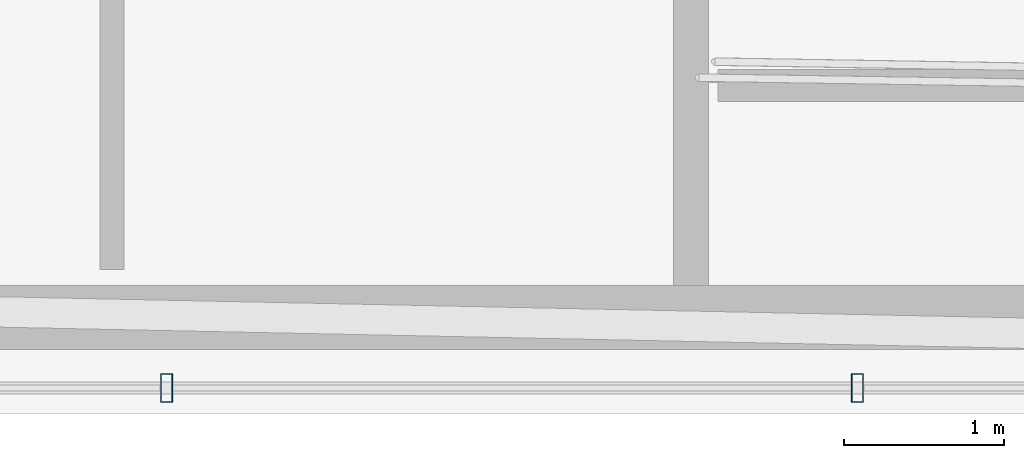
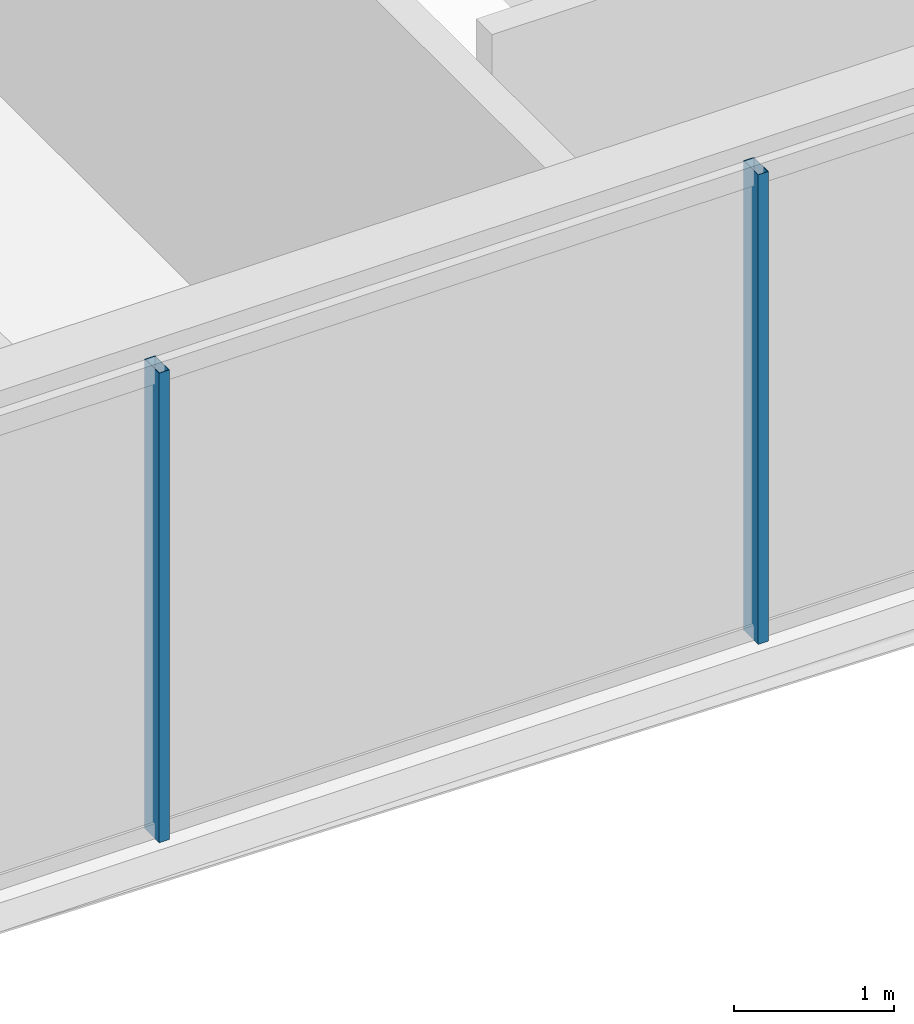
# One storey, part 6 of 30: 2 members, 1 element without a shape of its own.
"""IFC4 building model written with IfcOpenShell, lengths in metres."""

from ifc_helpers import new_model, si_unit, direction, frame, origin, origin_2d, place, context, subcontext, project, spatial, hollow_rectangle, extrude, material, layer, layer_set, material_profile, profile_set, type_object, element, aggregate, save


model = new_model("IFC4")

# Units and contexts
model_context = context("Model", 3, precision=1e-05, world=origin(), true_north=direction((0.0, 1.0)))
body_context = subcontext(model_context, "Body", "Model", "MODEL_VIEW")
ifc_project = project(units=[si_unit("LENGTHUNIT", "METRE"), si_unit("AREAUNIT", "SQUARE_METRE"), si_unit("VOLUMEUNIT", "CUBIC_METRE"), si_unit("PLANEANGLEUNIT", "RADIAN"), si_unit("MASSUNIT", "GRAM", prefix="KILO")], contexts=[model_context])

# Site, building, storey
site_placement = place(None, origin())
site = spatial("IfcSite", under=ifc_project, at=site_placement, CompositionType="ELEMENT")
building_placement = place(site_placement, origin())
building = spatial("IfcBuilding", under=site, at=building_placement, Name="Ndaravel Arena Tower", CompositionType="ELEMENT")
storey_placement = place(building_placement, frame((0.0, 0.0, 225.60009765625)))
storey = spatial("IfcBuildingStorey", under=building, at=storey_placement, Name="L54", CompositionType="ELEMENT", Elevation=225.60009765625)

# Curtain wall, members
ifc_material_1 = material(Name="Aluminium", Category="aluminium")
ifc_layer = layer(ifc_material_1, 0.179931640625)
ifc_layer_set = layer_set([ifc_layer], Name="Aluminium")
curtain_wall_type = type_object("IfcCurtainWallType", Name="CW-SYS-03", PredefinedType="NOTDEFINED", material=ifc_layer_set)
curtain_wall_placement = place(storey_placement, origin())
curtain_wall = element("IfcCurtainWall", 1, at=curtain_wall_placement, inside=storey, type_object=curtain_wall_type, Name="L54 Faceted Crystal Curtain Wall CW-L54-E01", PredefinedType="NOTDEFINED")
ifc_material_2 = material(Name="Aluminium", Category="aluminium")
ifc_material_profile = material_profile(ifc_material_2, hollow_rectangle(XDim=0.074951171875, YDim=0.179931640625, WallThickness=0.00390625, at=origin_2d()), Name="CW MULLION 75x180x4")
ifc_profile_set = profile_set([ifc_material_profile], Name="Aluminium")
member_type = type_object("IfcMemberType", Name="MEM-CW-MUL180", PredefinedType="MULLION", material=ifc_profile_set)
member_1_placement = place(storey_placement, frame((35.522216796875, 5.159912109375, 0.0), z_axis=(0.0, 0.0, 1.0), x_axis=(1.0, 0.0, 0.0)))
member_1 = element("IfcMember", 2, at=member_1_placement, type_object=member_type, Name="CW-L54-E01 Mullion 03", PredefinedType="MULLION", context=body_context, shape_type="SweptSolid", body=[
    extrude(hollow_rectangle(XDim=0.074951171875, YDim=0.179931640625, WallThickness=0.00390625, at=origin_2d()), origin(), (0.0, 0.0, 1.0), 3.579833984375),
])
member_2_placement = place(storey_placement, frame((39.8408203125, 5.159912109375, 0.0), z_axis=(0.0, 0.0, 1.0), x_axis=(1.0, 0.0, 0.0)))
member_2 = element("IfcMember", 3, at=member_2_placement, type_object=member_type, Name="CW-L54-E01 Mullion 04", PredefinedType="MULLION", context=body_context, shape_type="SweptSolid", body=[
    extrude(hollow_rectangle(XDim=0.074951171875, YDim=0.179931640625, WallThickness=0.00390625, at=origin_2d()), origin(), (0.0, 0.0, 1.0), 3.579833984375),
])
aggregate(curtain_wall, [member_1, member_2])

save(model, "model.ifc")
